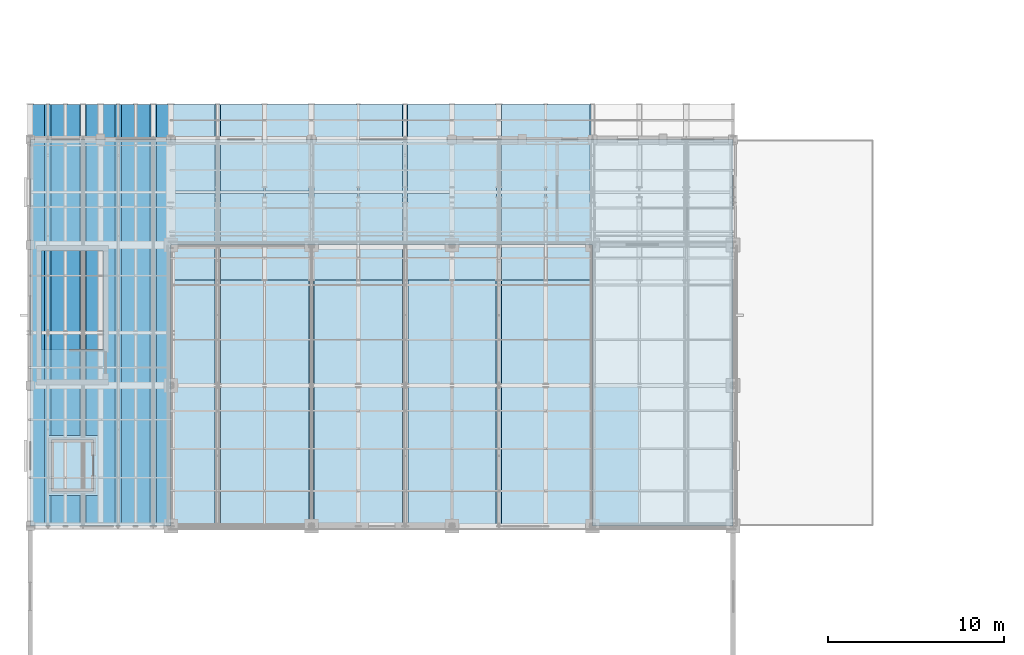
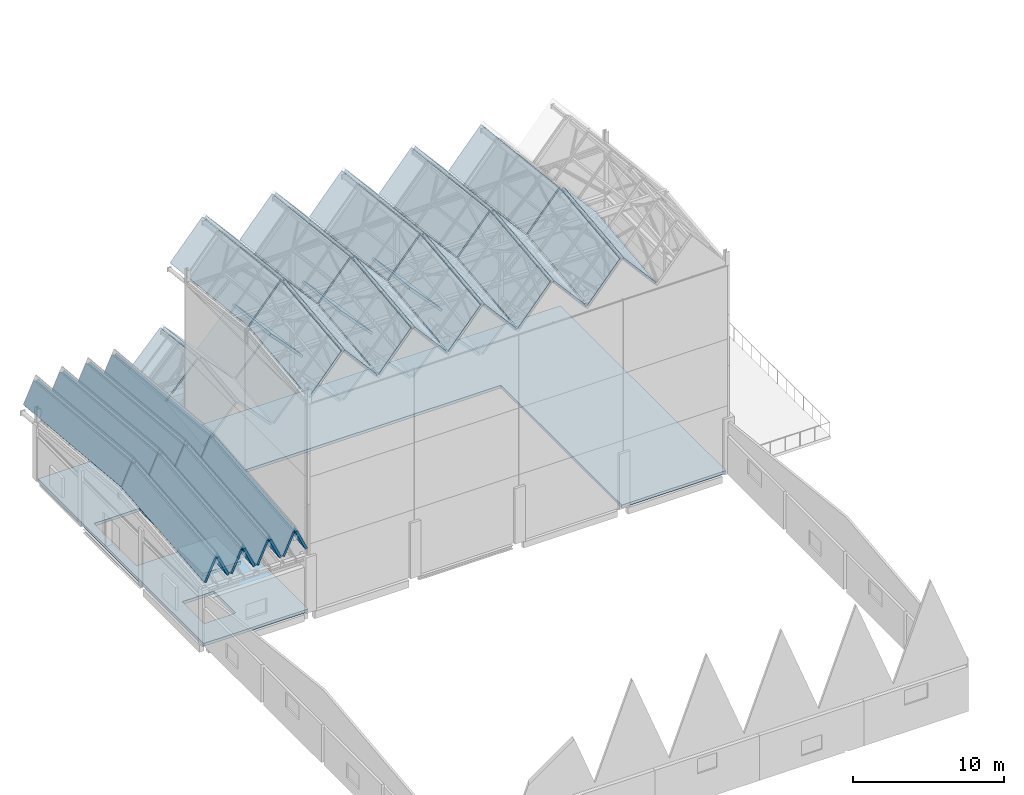
# One storey, part 23 of 48: 55 slabs.
"""IFC4 building model written with IfcOpenShell, lengths in metres."""

from ifc_helpers import new_model, si_unit, direction, frame, origin, place, context, subcontext, project, spatial, polyline, outline, extrude, material, layer, layer_set, type_object, element, save


model = new_model("IFC4")

# Units and contexts
model_context = context("Model", 3, precision=1e-05, world=origin(), true_north=direction((0.0, 1.0)))
body_context = subcontext(model_context, "Body", "Model", "MODEL_VIEW")
ifc_project = project(units=[si_unit("LENGTHUNIT", "METRE"), si_unit("AREAUNIT", "SQUARE_METRE"), si_unit("VOLUMEUNIT", "CUBIC_METRE"), si_unit("PLANEANGLEUNIT", "RADIAN"), si_unit("MASSUNIT", "GRAM", prefix="KILO")], contexts=[model_context])

# Site, building, storey
site_placement = place(None, origin())
site = spatial("IfcSite", under=ifc_project, at=site_placement, CompositionType="ELEMENT")
building_placement = place(site_placement, origin())
building = spatial("IfcBuilding", under=site, at=building_placement, Name="Luwemba Playhouse", CompositionType="ELEMENT")
storey_placement = place(building_placement, frame((0.0, 0.0, 13.800048828125)))
storey = spatial("IfcBuildingStorey", under=building, at=storey_placement, Name="L03", CompositionType="ELEMENT", Elevation=13.800048828125)

# Slabs
ifc_material_1 = material(Name="Concrete C32/40", Category="concrete")
ifc_layer_1 = layer(ifc_material_1, 0.179931640625)
ifc_layer_set_1 = layer_set([ifc_layer_1], Name="Concrete C32/40")
slab_type_1 = type_object("IfcSlabType", Name="SLB-ROOF-180", PredefinedType="ROOF", material=ifc_layer_set_1)
slab_1_placement = place(storey_placement, frame((12.0400390625, 68.0, 17.1064453125), z_axis=(-0.756374795015, -0.072917564661, 0.650061688018), x_axis=(0.651796789856, 0.0, 0.758393660795)))
element("IfcSlab", 1, at=slab_1_placement, inside=storey, type_object=slab_type_1, Name="RF-V2-FLY pleated roof facet 1S", PredefinedType="ROOF", context=body_context, shape_type="SweptSolid", body=[
    extrude(outline(polyline([(0.0, 0.0), (3.797345575755142, 2.7755575615628914e-17), (4.472789929900539, 7.961134174837234), (0.6754443541453969, 7.961134174837234), (0.0, 0.0)])), origin(), (0.0, 0.0, -1.0), 0.179931640625),
])
slab_2_placement = place(storey_placement, frame((12.0400390625, 76.06005859375, 17.9970703125), z_axis=(-0.756375331092, 0.072907895886, 0.650062148746), x_axis=(0.651796789856, 0.0, 0.758393660795)))
element("IfcSlab", 2, at=slab_2_placement, inside=storey, type_object=slab_type_1, Name="RF-V2-FLY pleated roof facet 1N", PredefinedType="ROOF", context=body_context, shape_type="SweptSolid", body=[
    extrude(outline(polyline([(0.0, 0.0), (3.7973455757551426, -2.7755575615628914e-17), (2.917860739628323, 10.367434831971783), (-0.8794848361268189, 10.367434831971783), (0.0, 0.0)])), origin(), (0.0, 0.0, -1.0), 0.179931640625),
])
slab_3_placement = place(storey_placement, frame((14.818115234375, 68.0, 19.986328125), z_axis=(0.756374795015, -0.072917564661, 0.650061688018), x_axis=(0.651796789856, 0.0, -0.758393660795)))
element("IfcSlab", 3, at=slab_3_placement, inside=storey, type_object=slab_type_1, Name="RF-V2-FLY pleated roof facet 2S", PredefinedType="ROOF", context=body_context, shape_type="SweptSolid", body=[
    extrude(outline(polyline([(0.0, 0.0), (3.797345575755142, -2.7755575615628914e-17), (3.1219012216097455, 7.961134174837233), (-0.6754443541453969, 7.961134174837234), (0.0, 0.0)])), origin(), (0.0, 0.0, -1.0), 0.179931640625),
])
slab_4_placement = place(storey_placement, frame((14.818115234375, 76.06005859375, 20.876953125), z_axis=(0.756361188698, 0.072917297819, 0.650077549151), x_axis=(0.651812596084, 1.523792e-06, -0.758380075941)))
element("IfcSlab", 4, at=slab_4_placement, inside=storey, type_object=slab_type_1, Name="RF-V2-FLY pleated roof facet 2N", PredefinedType="ROOF", context=body_context, shape_type="SweptSolid", body=[
    extrude(outline(polyline([(0.0, 0.0), (3.797345574925978, -2.7755575615628914e-17), (4.676830412903163, 10.367434831511108), (0.8796699893629129, 10.36744643484623), (0.0, 0.0)])), origin(), (0.0, 0.0, -1.0), 0.179931640625),
])
slab_5_placement = place(storey_placement, frame((17.373291015625, 68.0, 17.1064453125), z_axis=(-0.756374795015, -0.072917564661, 0.650061688018), x_axis=(0.651796789856, 0.0, 0.758393660795)))
element("IfcSlab", 5, at=slab_5_placement, inside=storey, type_object=slab_type_1, Name="RF-V2-FLY pleated roof facet 3S", PredefinedType="ROOF", context=body_context, shape_type="SweptSolid", body=[
    extrude(outline(polyline([(0.0, 0.0), (3.797345575755142, 2.7755575615628914e-17), (4.472789929900539, 7.961134174837234), (0.6754443541453969, 7.961134174837234), (0.0, 0.0)])), origin(), (0.0, 0.0, -1.0), 0.179931640625),
])
slab_6_placement = place(storey_placement, frame((17.373291015625, 76.06005859375, 17.9970703125), z_axis=(-0.756388626011, 0.072913761435, 0.65004602132), x_axis=(0.651780984105, 1.523644e-06, 0.758407244662)))
element("IfcSlab", 6, at=slab_6_placement, inside=storey, type_object=slab_type_1, Name="RF-V2-FLY pleated roof facet 3N", PredefinedType="ROOF", context=body_context, shape_type="SweptSolid", body=[
    extrude(outline(polyline([(0.0, 0.0), (3.797345574926059, 0.0), (2.917860740265387, 10.367434831792485), (-0.8796699926793886, 10.36744643456486), (0.0, 0.0)])), origin(), (0.0, 0.0, -1.0), 0.179931640625),
])
slab_7_placement = place(storey_placement, frame((20.151611328125, 68.0, 19.986328125), z_axis=(0.756374795015, -0.072917564661, 0.650061688018), x_axis=(0.651796789856, 0.0, -0.758393660795)))
element("IfcSlab", 7, at=slab_7_placement, inside=storey, type_object=slab_type_1, Name="RF-V2-FLY pleated roof facet 4S", PredefinedType="ROOF", context=body_context, shape_type="SweptSolid", body=[
    extrude(outline(polyline([(0.0, 0.0), (3.797345575755142, -2.7755575615628914e-17), (3.1219012216097455, 7.961134174837233), (-0.6754443541453969, 7.961134174837234), (0.0, 0.0)])), origin(), (0.0, 0.0, -1.0), 0.179931640625),
])
slab_8_placement = place(storey_placement, frame((20.151611328125, 76.06005859375, 20.876953125), z_axis=(0.756388626011, 0.072913761435, 0.65004602132), x_axis=(0.651780984105, -1.523644e-06, -0.758407244662)))
element("IfcSlab", 8, at=slab_8_placement, inside=storey, type_object=slab_type_1, Name="RF-V2-FLY pleated roof facet 4N", PredefinedType="ROOF", context=body_context, shape_type="SweptSolid", body=[
    extrude(outline(polyline([(0.0, 0.0), (3.797345574926059, 0.0), (4.677015567605448, 10.36744643456486), (0.8794848346606722, 10.367434831792485), (0.0, 0.0)])), origin(), (0.0, 0.0, -1.0), 0.179931640625),
])
slab_9_placement = place(storey_placement, frame((22.706787109375, 68.0, 17.1064453125), z_axis=(-0.756374795015, -0.072917564661, 0.650061688018), x_axis=(0.651796789856, 0.0, 0.758393660795)))
element("IfcSlab", 9, at=slab_9_placement, inside=storey, type_object=slab_type_1, Name="RF-V2-FLY pleated roof facet 5S", PredefinedType="ROOF", context=body_context, shape_type="SweptSolid", body=[
    extrude(outline(polyline([(0.0, 0.0), (3.797345575755142, 2.7755575615628914e-17), (4.472789929900539, 7.961134174837234), (0.6754443541453969, 7.961134174837234), (0.0, 0.0)])), origin(), (0.0, 0.0, -1.0), 0.179931640625),
])
slab_10_placement = place(storey_placement, frame((22.706787109375, 76.06005859375, 17.9970703125), z_axis=(-0.756361188698, 0.072917297819, 0.650077549151), x_axis=(0.651812596084, -1.523792e-06, 0.758380075941)))
element("IfcSlab", 10, at=slab_10_placement, inside=storey, type_object=slab_type_1, Name="RF-V2-FLY pleated roof facet 5N", PredefinedType="ROOF", context=body_context, shape_type="SweptSolid", body=[
    extrude(outline(polyline([(0.0, 0.0), (3.797345574925978, 2.7755575615628914e-17), (2.9176755855630656, 10.36744643484623), (-0.8794848379771851, 10.36743483151111), (0.0, 0.0)])), origin(), (0.0, 0.0, -1.0), 0.179931640625),
])
slab_11_placement = place(storey_placement, frame((25.48486328125, 68.0, 19.986328125), z_axis=(0.756374795015, -0.072917564661, 0.650061688018), x_axis=(0.651796789856, 0.0, -0.758393660795)))
element("IfcSlab", 11, at=slab_11_placement, inside=storey, type_object=slab_type_1, Name="RF-V2-FLY pleated roof facet 6S", PredefinedType="ROOF", context=body_context, shape_type="SweptSolid", body=[
    extrude(outline(polyline([(0.0, 0.0), (3.797345575755142, -2.7755575615628914e-17), (3.1219012216097455, 7.961134174837233), (-0.6754443541453969, 7.961134174837234), (0.0, 0.0)])), origin(), (0.0, 0.0, -1.0), 0.179931640625),
])
slab_12_placement = place(storey_placement, frame((25.48486328125, 76.06005859375, 20.876953125), z_axis=(0.756375331092, 0.072907895886, 0.650062148746), x_axis=(0.651796789856, 0.0, -0.758393660795)))
element("IfcSlab", 12, at=slab_12_placement, inside=storey, type_object=slab_type_1, Name="RF-V2-FLY pleated roof facet 6N", PredefinedType="ROOF", context=body_context, shape_type="SweptSolid", body=[
    extrude(outline(polyline([(0.0, 0.0), (3.7973455757551426, 2.7755575615628914e-17), (4.676830411881962, 10.367434831971782), (0.8794848361268189, 10.367434831971783), (0.0, 0.0)])), origin(), (0.0, 0.0, -1.0), 0.179931640625),
])
slab_13_placement = place(storey_placement, frame((28.0400390625, 68.0, 17.1064453125), z_axis=(-0.756374795015, -0.072917564661, 0.650061688018), x_axis=(0.651796789856, 0.0, 0.758393660795)))
element("IfcSlab", 13, at=slab_13_placement, inside=storey, type_object=slab_type_1, Name="RF-V2-FLY pleated roof facet 7S", PredefinedType="ROOF", context=body_context, shape_type="SweptSolid", body=[
    extrude(outline(polyline([(0.0, 0.0), (3.797345575755142, 2.7755575615628914e-17), (4.472789929900539, 7.961134174837234), (0.6754443541453969, 7.961134174837234), (0.0, 0.0)])), origin(), (0.0, 0.0, -1.0), 0.179931640625),
])
slab_14_placement = place(storey_placement, frame((28.0400390625, 76.06005859375, 17.9970703125), z_axis=(-0.756375331092, 0.072907895886, 0.650062148746), x_axis=(0.651796789856, 0.0, 0.758393660795)))
element("IfcSlab", 14, at=slab_14_placement, inside=storey, type_object=slab_type_1, Name="RF-V2-FLY pleated roof facet 7N", PredefinedType="ROOF", context=body_context, shape_type="SweptSolid", body=[
    extrude(outline(polyline([(0.0, 0.0), (3.7973455757551426, -2.7755575615628914e-17), (2.917860739628323, 10.367434831971783), (-0.8794848361268189, 10.367434831971783), (0.0, 0.0)])), origin(), (0.0, 0.0, -1.0), 0.179931640625),
])
slab_15_placement = place(storey_placement, frame((30.818115234375, 68.0, 19.986328125), z_axis=(0.756374795015, -0.072917564661, 0.650061688018), x_axis=(0.651796789856, 0.0, -0.758393660795)))
element("IfcSlab", 15, at=slab_15_placement, inside=storey, type_object=slab_type_1, Name="RF-V2-FLY pleated roof facet 8S", PredefinedType="ROOF", context=body_context, shape_type="SweptSolid", body=[
    extrude(outline(polyline([(0.0, 0.0), (3.797345575755142, -2.7755575615628914e-17), (3.1219012216097455, 7.961134174837233), (-0.6754443541453969, 7.961134174837234), (0.0, 0.0)])), origin(), (0.0, 0.0, -1.0), 0.179931640625),
])
slab_16_placement = place(storey_placement, frame((30.818115234375, 76.06005859375, 20.876953125), z_axis=(0.756361188698, 0.072917297819, 0.650077549151), x_axis=(0.651812596084, 1.523792e-06, -0.758380075941)))
element("IfcSlab", 16, at=slab_16_placement, inside=storey, type_object=slab_type_1, Name="RF-V2-FLY pleated roof facet 8N", PredefinedType="ROOF", context=body_context, shape_type="SweptSolid", body=[
    extrude(outline(polyline([(0.0, 0.0), (3.797345574925978, -2.7755575615628914e-17), (4.676830412903163, 10.367434831511108), (0.8796699893629129, 10.36744643484623), (0.0, 0.0)])), origin(), (0.0, 0.0, -1.0), 0.179931640625),
])
slab_17_placement = place(storey_placement, frame((33.373291015625, 68.0, 17.1064453125), z_axis=(-0.756374795015, -0.072917564661, 0.650061688018), x_axis=(0.651796789856, 0.0, 0.758393660795)))
element("IfcSlab", 17, at=slab_17_placement, inside=storey, type_object=slab_type_1, Name="RF-V2-FLY pleated roof facet 9S", PredefinedType="ROOF", context=body_context, shape_type="SweptSolid", body=[
    extrude(outline(polyline([(0.0, 0.0), (3.797345575755142, 2.7755575615628914e-17), (4.472789929900539, 7.961134174837234), (0.6754443541453969, 7.961134174837234), (0.0, 0.0)])), origin(), (0.0, 0.0, -1.0), 0.179931640625),
])
slab_18_placement = place(storey_placement, frame((33.373291015625, 76.06005859375, 17.9970703125), z_axis=(-0.756388626011, 0.072913761435, 0.65004602132), x_axis=(0.651780984105, 1.523644e-06, 0.758407244662)))
element("IfcSlab", 18, at=slab_18_placement, inside=storey, type_object=slab_type_1, Name="RF-V2-FLY pleated roof facet 9N", PredefinedType="ROOF", context=body_context, shape_type="SweptSolid", body=[
    extrude(outline(polyline([(0.0, 0.0), (3.797345574926059, 0.0), (2.917860740265387, 10.367434831792485), (-0.8796699926793886, 10.36744643456486), (0.0, 0.0)])), origin(), (0.0, 0.0, -1.0), 0.179931640625),
])
slab_19_placement = place(storey_placement, frame((36.151611328125, 68.0, 19.986328125), z_axis=(0.756374795015, -0.072917564661, 0.650061688018), x_axis=(0.651796789856, 0.0, -0.758393660795)))
element("IfcSlab", 19, at=slab_19_placement, inside=storey, type_object=slab_type_1, Name="RF-V2-FLY pleated roof facet 10S", PredefinedType="ROOF", context=body_context, shape_type="SweptSolid", body=[
    extrude(outline(polyline([(0.0, 0.0), (3.797345575755142, -2.7755575615628914e-17), (3.1219012216097455, 7.961134174837233), (-0.6754443541453969, 7.961134174837234), (0.0, 0.0)])), origin(), (0.0, 0.0, -1.0), 0.179931640625),
])
slab_20_placement = place(storey_placement, frame((4.0400390625, 68.0, 4.947021484375), z_axis=(-0.907986587238, -0.038837992433, 0.417195359202), x_axis=(0.417510399523, -1.057083e-06, 0.908672144554)))
element("IfcSlab", 20, at=slab_20_placement, inside=storey, type_object=slab_type_1, Name="RF-V2-LOW pleated roof facet 1S", PredefinedType="ROOF", context=body_context, shape_type="SweptSolid", body=[
    extrude(outline(polyline([(0.0, 0.0), (1.8711001203979962, -3.469446951953614e-18), (2.79662082820364, 10.948204557846042), (0.9252988640203522, 10.948200598806599), (0.0, 0.0)])), origin(), (0.0, 0.0, -1.0), 0.179931640625),
])
slab_21_placement = place(storey_placement, frame((4.0400390625, 79.06005859375, 5.96533203125), z_axis=(-0.907998063281, 0.03883476372, 0.41717068234), x_axis=(0.417485614267, 0.0, 0.908683532304)))
element("IfcSlab", 21, at=slab_21_placement, inside=storey, type_object=slab_type_1, Name="RF-V2-LOW pleated roof facet 1N", PredefinedType="ROOF", context=body_context, shape_type="SweptSolid", body=[
    extrude(outline(polyline([(0.0, 0.0), (1.8713219648804555, -3.469446951953614e-18), (0.7767310106845904, 12.949710071342965), (-1.0945909541958652, 12.949710071342967), (0.0, 0.0)])), origin(), (0.0, 0.0, -1.0), 0.179931640625),
])
slab_22_placement = place(storey_placement, frame((5.1787109375, 68.0, 6.647216796875), z_axis=(0.907986587238, -0.038837992433, 0.417195359202), x_axis=(0.417510399523, 1.057083e-06, -0.908672144554)))
element("IfcSlab", 22, at=slab_22_placement, inside=storey, type_object=slab_type_1, Name="RF-V2-LOW pleated roof facet 2S", PredefinedType="ROOF", context=body_context, shape_type="SweptSolid", body=[
    extrude(outline(polyline([(0.0, 0.0), (1.8711001203979962, 3.469446951953614e-18), (0.9458012563776441, 10.948200598806599), (-0.9255207078056438, 10.948204557846042), (0.0, 0.0)])), origin(), (0.0, 0.0, -1.0), 0.179931640625),
])
slab_23_placement = place(storey_placement, frame((5.1787109375, 79.06005859375, 7.665771484375), z_axis=(0.907998063281, 0.03883476372, 0.41717068234), x_axis=(0.417485614267, 0.0, -0.908683532304)))
element("IfcSlab", 23, at=slab_23_placement, inside=storey, type_object=slab_type_1, Name="RF-V2-LOW pleated roof facet 2N", PredefinedType="ROOF", context=body_context, shape_type="SweptSolid", body=[
    extrude(outline(polyline([(0.0, 0.0), (1.8713219648804555, 3.469446951953614e-18), (2.9659129190763207, 12.949710071342967), (1.0945909541958652, 12.949710071342967), (0.0, 0.0)])), origin(), (0.0, 0.0, -1.0), 0.179931640625),
])
slab_24_placement = place(storey_placement, frame((6.0400390625, 68.0, 4.947021484375), z_axis=(-0.907986587238, -0.038837992433, 0.417195359202), x_axis=(0.417510399523, -1.057083e-06, 0.908672144554)))
element("IfcSlab", 24, at=slab_24_placement, inside=storey, type_object=slab_type_1, Name="RF-V2-LOW pleated roof facet 3S", PredefinedType="ROOF", context=body_context, shape_type="SweptSolid", body=[
    extrude(outline(polyline([(0.0, 0.0), (1.8711001203979962, -3.469446951953614e-18), (2.79662082820364, 10.948204557846042), (0.9252988640203522, 10.948200598806599), (0.0, 0.0)])), origin(), (0.0, 0.0, -1.0), 0.179931640625),
])
slab_25_placement = place(storey_placement, frame((6.0400390625, 79.06005859375, 5.96533203125), z_axis=(-0.907998063281, 0.03883476372, 0.41717068234), x_axis=(0.417485614267, 0.0, 0.908683532304)))
element("IfcSlab", 25, at=slab_25_placement, inside=storey, type_object=slab_type_1, Name="RF-V2-LOW pleated roof facet 3N", PredefinedType="ROOF", context=body_context, shape_type="SweptSolid", body=[
    extrude(outline(polyline([(0.0, 0.0), (1.8713219648804555, -3.469446951953614e-18), (0.7767310106845904, 12.949710071342965), (-1.0945909541958652, 12.949710071342967), (0.0, 0.0)])), origin(), (0.0, 0.0, -1.0), 0.179931640625),
])
slab_26_placement = place(storey_placement, frame((7.1787109375, 68.0, 6.647216796875), z_axis=(0.907986587238, -0.038837992433, 0.417195359202), x_axis=(0.417510399523, 1.057083e-06, -0.908672144554)))
element("IfcSlab", 26, at=slab_26_placement, inside=storey, type_object=slab_type_1, Name="RF-V2-LOW pleated roof facet 4S", PredefinedType="ROOF", context=body_context, shape_type="SweptSolid", body=[
    extrude(outline(polyline([(0.0, 0.0), (1.8711001203979962, 3.469446951953614e-18), (0.9458012563776441, 10.948200598806599), (-0.9255207078056438, 10.948204557846042), (0.0, 0.0)])), origin(), (0.0, 0.0, -1.0), 0.179931640625),
])
slab_27_placement = place(storey_placement, frame((7.1787109375, 79.06005859375, 7.665771484375), z_axis=(0.907998063281, 0.03883476372, 0.41717068234), x_axis=(0.417485614267, 0.0, -0.908683532304)))
element("IfcSlab", 27, at=slab_27_placement, inside=storey, type_object=slab_type_1, Name="RF-V2-LOW pleated roof facet 4N", PredefinedType="ROOF", context=body_context, shape_type="SweptSolid", body=[
    extrude(outline(polyline([(0.0, 0.0), (1.8713219648804555, 3.469446951953614e-18), (2.9659129190763207, 12.949710071342967), (1.0945909541958652, 12.949710071342967), (0.0, 0.0)])), origin(), (0.0, 0.0, -1.0), 0.179931640625),
])
slab_28_placement = place(storey_placement, frame((8.0400390625, 68.0, 4.947021484375), z_axis=(-0.907986587238, -0.038837992433, 0.417195359202), x_axis=(0.417510399523, -1.057083e-06, 0.908672144554)))
element("IfcSlab", 28, at=slab_28_placement, inside=storey, type_object=slab_type_1, Name="RF-V2-LOW pleated roof facet 5S", PredefinedType="ROOF", context=body_context, shape_type="SweptSolid", body=[
    extrude(outline(polyline([(0.0, 0.0), (1.8711001203979962, -3.469446951953614e-18), (2.79662082820364, 10.948204557846042), (0.9252988640203522, 10.948200598806599), (0.0, 0.0)])), origin(), (0.0, 0.0, -1.0), 0.179931640625),
])
slab_29_placement = place(storey_placement, frame((8.0400390625, 79.06005859375, 5.96533203125), z_axis=(-0.907998063281, 0.03883476372, 0.41717068234), x_axis=(0.417485614267, 0.0, 0.908683532304)))
element("IfcSlab", 29, at=slab_29_placement, inside=storey, type_object=slab_type_1, Name="RF-V2-LOW pleated roof facet 5N", PredefinedType="ROOF", context=body_context, shape_type="SweptSolid", body=[
    extrude(outline(polyline([(0.0, 0.0), (1.8713219648804555, -3.469446951953614e-18), (0.7767310106845904, 12.949710071342965), (-1.0945909541958652, 12.949710071342967), (0.0, 0.0)])), origin(), (0.0, 0.0, -1.0), 0.179931640625),
])
slab_30_placement = place(storey_placement, frame((9.1787109375, 68.0, 6.647216796875), z_axis=(0.907986587238, -0.038837992433, 0.417195359202), x_axis=(0.417510399523, 1.057083e-06, -0.908672144554)))
element("IfcSlab", 30, at=slab_30_placement, inside=storey, type_object=slab_type_1, Name="RF-V2-LOW pleated roof facet 6S", PredefinedType="ROOF", context=body_context, shape_type="SweptSolid", body=[
    extrude(outline(polyline([(0.0, 0.0), (1.8711001203979962, 3.469446951953614e-18), (0.9458012563776441, 10.948200598806599), (-0.9255207078056438, 10.948204557846042), (0.0, 0.0)])), origin(), (0.0, 0.0, -1.0), 0.179931640625),
])
slab_31_placement = place(storey_placement, frame((9.1787109375, 79.06005859375, 7.665771484375), z_axis=(0.907998063281, 0.03883476372, 0.41717068234), x_axis=(0.417485614267, 0.0, -0.908683532304)))
element("IfcSlab", 31, at=slab_31_placement, inside=storey, type_object=slab_type_1, Name="RF-V2-LOW pleated roof facet 6N", PredefinedType="ROOF", context=body_context, shape_type="SweptSolid", body=[
    extrude(outline(polyline([(0.0, 0.0), (1.8713219648804555, 3.469446951953614e-18), (2.9659129190763207, 12.949710071342967), (1.0945909541958652, 12.949710071342967), (0.0, 0.0)])), origin(), (0.0, 0.0, -1.0), 0.179931640625),
])
slab_32_placement = place(storey_placement, frame((10.0400390625, 68.0, 4.947021484375), z_axis=(-0.907986587238, -0.038837992433, 0.417195359202), x_axis=(0.417510399523, -1.057083e-06, 0.908672144554)))
element("IfcSlab", 32, at=slab_32_placement, inside=storey, type_object=slab_type_1, Name="RF-V2-LOW pleated roof facet 7S", PredefinedType="ROOF", context=body_context, shape_type="SweptSolid", body=[
    extrude(outline(polyline([(0.0, 0.0), (1.8711001203979962, -3.469446951953614e-18), (2.79662082820364, 10.948204557846042), (0.9252988640203522, 10.948200598806599), (0.0, 0.0)])), origin(), (0.0, 0.0, -1.0), 0.179931640625),
])
slab_33_placement = place(storey_placement, frame((10.0400390625, 79.06005859375, 5.96533203125), z_axis=(-0.907998063281, 0.03883476372, 0.41717068234), x_axis=(0.417485614267, 0.0, 0.908683532304)))
element("IfcSlab", 33, at=slab_33_placement, inside=storey, type_object=slab_type_1, Name="RF-V2-LOW pleated roof facet 7N", PredefinedType="ROOF", context=body_context, shape_type="SweptSolid", body=[
    extrude(outline(polyline([(0.0, 0.0), (1.8713219648804555, -3.469446951953614e-18), (0.7767310106845904, 12.949710071342965), (-1.0945909541958652, 12.949710071342967), (0.0, 0.0)])), origin(), (0.0, 0.0, -1.0), 0.179931640625),
])
slab_34_placement = place(storey_placement, frame((11.1787109375, 68.0, 6.647216796875), z_axis=(0.907986587238, -0.038837992433, 0.417195359202), x_axis=(0.417510399523, 1.057083e-06, -0.908672144554)))
element("IfcSlab", 34, at=slab_34_placement, inside=storey, type_object=slab_type_1, Name="RF-V2-LOW pleated roof facet 8S", PredefinedType="ROOF", context=body_context, shape_type="SweptSolid", body=[
    extrude(outline(polyline([(0.0, 0.0), (1.8711001203979962, 3.469446951953614e-18), (0.9458012563776441, 10.948200598806599), (-0.9255207078056438, 10.948204557846042), (0.0, 0.0)])), origin(), (0.0, 0.0, -1.0), 0.179931640625),
])
slab_35_placement = place(storey_placement, frame((11.1787109375, 79.06005859375, 7.665771484375), z_axis=(0.907998063281, 0.03883476372, 0.41717068234), x_axis=(0.417485614267, 0.0, -0.908683532304)))
element("IfcSlab", 35, at=slab_35_placement, inside=storey, type_object=slab_type_1, Name="RF-V2-LOW pleated roof facet 8N", PredefinedType="ROOF", context=body_context, shape_type="SweptSolid", body=[
    extrude(outline(polyline([(0.0, 0.0), (1.8713219648804555, 3.469446951953614e-18), (2.9659129190763207, 12.949710071342967), (1.0945909541958652, 12.949710071342967), (0.0, 0.0)])), origin(), (0.0, 0.0, -1.0), 0.179931640625),
])
slab_36_placement = place(storey_placement, frame((12.0400390625, 82.0, 4.678466796875), z_axis=(-0.72968823833, -0.07623326784, 0.679517154837), x_axis=(0.68150031365, 0.0, 0.731817820564)))
element("IfcSlab", 36, at=slab_36_placement, inside=storey, type_object=slab_type_1, Name="RF-V2-NORTH pleated roof facet 1S", PredefinedType="ROOF", context=body_context, shape_type="SweptSolid", body=[
    extrude(outline(polyline([(0.0, 0.0), (3.6390012140547197, -2.7755575615628914e-17), (4.0445740784787265, 4.954358537983423), (0.40557286442400686, 4.954358537983423), (0.0, 0.0)])), origin(), (0.0, 0.0, -1.0), 0.179931640625),
])
slab_37_placement = place(storey_placement, frame((12.0400390625, 87.06005859375, 5.232666015625), z_axis=(-0.72968823833, 0.07623326784, 0.679517154837), x_axis=(0.68150031365, 0.0, 0.731817820564)))
element("IfcSlab", 37, at=slab_37_placement, inside=storey, type_object=slab_type_1, Name="RF-V2-NORTH pleated roof facet 1N", PredefinedType="ROOF", context=body_context, shape_type="SweptSolid", body=[
    extrude(outline(polyline([(0.0, 0.0), (3.6390012140547197, 2.7755575615628914e-17), (3.233428349630713, 4.954358537983423), (-0.40557286442400686, 4.954358537983423), (0.0, 0.0)])), origin(), (0.0, 0.0, -1.0), 0.179931640625),
])
slab_38_placement = place(storey_placement, frame((14.8134765625, 82.0, 7.341552734375), z_axis=(0.729707121048, -0.076214438904, 0.679498989547), x_axis=(0.681481208744, 1.737381e-06, -0.731835611409)))
element("IfcSlab", 38, at=slab_38_placement, inside=storey, type_object=slab_type_1, Name="RF-V2-NORTH pleated roof facet 2S", PredefinedType="ROOF", context=body_context, shape_type="SweptSolid", body=[
    extrude(outline(polyline([(0.0, 0.0), (3.6386561647574216, 0.0), (3.2332606940258257, 4.9543457520841105), (-0.40557414153516264, 4.9543584327422465), (0.0, 0.0)])), origin(), (0.0, 0.0, -1.0), 0.179931640625),
])
slab_39_placement = place(storey_placement, frame((14.8134765625, 87.06005859375, 7.895751953125), z_axis=(0.729707121048, 0.076214438904, 0.679498989547), x_axis=(0.681481014373, 1.737296e-06, -0.731835792406)))
element("IfcSlab", 39, at=slab_39_placement, inside=storey, type_object=slab_type_1, Name="RF-V2-NORTH pleated roof facet 2N", PredefinedType="ROOF", context=body_context, shape_type="SweptSolid", body=[
    extrude(outline(polyline([(0.0, 0.0), (3.638834835583083, 2.7755575615628914e-17), (4.044247571279607, 4.954344339326711), (0.4055914065442792, 4.954357019362213), (0.0, 0.0)])), origin(), (0.0, 0.0, -1.0), 0.179931640625),
])
slab_40_placement = place(storey_placement, frame((17.373291015625, 82.0, 4.678466796875), z_axis=(-0.72968823833, -0.07623326784, 0.679517154837), x_axis=(0.68150031365, 0.0, 0.731817820564)))
element("IfcSlab", 40, at=slab_40_placement, inside=storey, type_object=slab_type_1, Name="RF-V2-NORTH pleated roof facet 3S", PredefinedType="ROOF", context=body_context, shape_type="SweptSolid", body=[
    extrude(outline(polyline([(0.0, 0.0), (3.6390012140547197, -2.7755575615628914e-17), (4.0445740784787265, 4.954358537983423), (0.40557286442400686, 4.954358537983423), (0.0, 0.0)])), origin(), (0.0, 0.0, -1.0), 0.179931640625),
])
for number, where, z_axis, x_axis, name in (
    (41, (17.373291015625, 87.06005859375, 5.232666015625), (-0.72968823833, 0.07623326784, 0.679517154837), (0.68150031365, 0.0, 0.731817820564), "RF-V2-NORTH pleated roof facet 3N"),
    (42, (20.146728515625, 82.0, 7.341552734375), (0.72968823833, -0.07623326784, 0.679517154837), (0.68150031365, 0.0, -0.731817820564), "RF-V2-NORTH pleated roof facet 4S"),
):
    element("IfcSlab", number, at=place(storey_placement, frame(where, z_axis=z_axis, x_axis=x_axis)), inside=storey, type_object=slab_type_1, Name=name, PredefinedType="ROOF", context=body_context, shape_type="SweptSolid", body=[
        extrude(outline(polyline([(0.0, 0.0), (3.6390012140547197, 2.7755575615628914e-17), (3.233428349630713, 4.954358537983423), (-0.40557286442400686, 4.954358537983423), (0.0, 0.0)])), origin(), (0.0, 0.0, -1.0), 0.179931640625),
    ])
slab_41_placement = place(storey_placement, frame((20.146728515625, 87.06005859375, 7.895751953125), z_axis=(0.72968823833, 0.07623326784, 0.679517154837), x_axis=(0.68150031365, 0.0, -0.731817820564)))
element("IfcSlab", 43, at=slab_41_placement, inside=storey, type_object=slab_type_1, Name="RF-V2-NORTH pleated roof facet 4N", PredefinedType="ROOF", context=body_context, shape_type="SweptSolid", body=[
    extrude(outline(polyline([(0.0, 0.0), (3.6390012140547197, -2.7755575615628914e-17), (4.0445740784787265, 4.954358537983423), (0.40557286442400686, 4.954358537983423), (0.0, 0.0)])), origin(), (0.0, 0.0, -1.0), 0.179931640625),
])
slab_42_placement = place(storey_placement, frame((22.706787109375, 82.0, 4.6787109375), z_axis=(-0.729707121048, -0.076214438904, 0.679498989547), x_axis=(0.681481208744, -1.737381e-06, 0.731835611409)))
element("IfcSlab", 44, at=slab_42_placement, inside=storey, type_object=slab_type_1, Name="RF-V2-NORTH pleated roof facet 5S", PredefinedType="ROOF", context=body_context, shape_type="SweptSolid", body=[
    extrude(outline(polyline([(0.0, 0.0), (3.6386561647574216, 0.0), (4.044230306292584, 4.9543584327422465), (0.405395470731596, 4.9543457520841105), (0.0, 0.0)])), origin(), (0.0, 0.0, -1.0), 0.179931640625),
])
slab_43_placement = place(storey_placement, frame((22.706787109375, 87.06005859375, 5.232666015625), z_axis=(-0.729707121048, 0.076214438904, 0.679498989547), x_axis=(0.681481014373, -1.737296e-06, 0.731835792406)))
element("IfcSlab", 45, at=slab_43_placement, inside=storey, type_object=slab_type_1, Name="RF-V2-NORTH pleated roof facet 5N", PredefinedType="ROOF", context=body_context, shape_type="SweptSolid", body=[
    extrude(outline(polyline([(0.0, 0.0), (3.638834835583083, -2.7755575615628914e-17), (3.233243429038804, 4.954357019362213), (-0.4054127356965239, 4.954344339326711), (0.0, 0.0)])), origin(), (0.0, 0.0, -1.0), 0.179931640625),
])
slab_44_placement = place(storey_placement, frame((25.47998046875, 82.0, 7.341552734375), z_axis=(0.72968823833, -0.07623326784, 0.679517154837), x_axis=(0.68150031365, 0.0, -0.731817820564)))
element("IfcSlab", 46, at=slab_44_placement, inside=storey, type_object=slab_type_1, Name="RF-V2-NORTH pleated roof facet 6S", PredefinedType="ROOF", context=body_context, shape_type="SweptSolid", body=[
    extrude(outline(polyline([(0.0, 0.0), (3.6390012140547197, 2.7755575615628914e-17), (3.233428349630713, 4.954358537983423), (-0.40557286442400686, 4.954358537983423), (0.0, 0.0)])), origin(), (0.0, 0.0, -1.0), 0.179931640625),
])
for number, where, z_axis, x_axis, name in (
    (47, (25.47998046875, 87.06005859375, 7.895751953125), (0.72968823833, 0.07623326784, 0.679517154837), (0.68150031365, 0.0, -0.731817820564), "RF-V2-NORTH pleated roof facet 6N"),
    (48, (28.0400390625, 82.0, 4.678466796875), (-0.72968823833, -0.07623326784, 0.679517154837), (0.68150031365, 0.0, 0.731817820564), "RF-V2-NORTH pleated roof facet 7S"),
):
    element("IfcSlab", number, at=place(storey_placement, frame(where, z_axis=z_axis, x_axis=x_axis)), inside=storey, type_object=slab_type_1, Name=name, PredefinedType="ROOF", context=body_context, shape_type="SweptSolid", body=[
        extrude(outline(polyline([(0.0, 0.0), (3.6390012140547197, -2.7755575615628914e-17), (4.0445740784787265, 4.954358537983423), (0.40557286442400686, 4.954358537983423), (0.0, 0.0)])), origin(), (0.0, 0.0, -1.0), 0.179931640625),
    ])
slab_45_placement = place(storey_placement, frame((28.0400390625, 87.06005859375, 5.232666015625), z_axis=(-0.72968823833, 0.07623326784, 0.679517154837), x_axis=(0.68150031365, 0.0, 0.731817820564)))
element("IfcSlab", 49, at=slab_45_placement, inside=storey, type_object=slab_type_1, Name="RF-V2-NORTH pleated roof facet 7N", PredefinedType="ROOF", context=body_context, shape_type="SweptSolid", body=[
    extrude(outline(polyline([(0.0, 0.0), (3.6390012140547197, 2.7755575615628914e-17), (3.233428349630713, 4.954358537983423), (-0.40557286442400686, 4.954358537983423), (0.0, 0.0)])), origin(), (0.0, 0.0, -1.0), 0.179931640625),
])
slab_46_placement = place(storey_placement, frame((30.8134765625, 82.0, 7.341552734375), z_axis=(0.729707121048, -0.076214438904, 0.679498989547), x_axis=(0.681481208744, 1.737381e-06, -0.731835611409)))
element("IfcSlab", 50, at=slab_46_placement, inside=storey, type_object=slab_type_1, Name="RF-V2-NORTH pleated roof facet 8S", PredefinedType="ROOF", context=body_context, shape_type="SweptSolid", body=[
    extrude(outline(polyline([(0.0, 0.0), (3.6386561647574216, 0.0), (3.2332606940258257, 4.9543457520841105), (-0.40557414153516264, 4.9543584327422465), (0.0, 0.0)])), origin(), (0.0, 0.0, -1.0), 0.179931640625),
])
slab_47_placement = place(storey_placement, frame((30.8134765625, 87.06005859375, 7.895751953125), z_axis=(0.729707121048, 0.076214438904, 0.679498989547), x_axis=(0.681481014373, 1.737296e-06, -0.731835792406)))
element("IfcSlab", 51, at=slab_47_placement, inside=storey, type_object=slab_type_1, Name="RF-V2-NORTH pleated roof facet 8N", PredefinedType="ROOF", context=body_context, shape_type="SweptSolid", body=[
    extrude(outline(polyline([(0.0, 0.0), (3.638834835583083, 2.7755575615628914e-17), (4.044247571279607, 4.954344339326711), (0.4055914065442792, 4.954357019362213), (0.0, 0.0)])), origin(), (0.0, 0.0, -1.0), 0.179931640625),
])
slab_48_placement = place(storey_placement, frame((33.373291015625, 82.0, 4.678466796875), z_axis=(-0.72968823833, -0.07623326784, 0.679517154837), x_axis=(0.68150031365, 0.0, 0.731817820564)))
element("IfcSlab", 52, at=slab_48_placement, inside=storey, type_object=slab_type_1, Name="RF-V2-NORTH pleated roof facet 9S", PredefinedType="ROOF", context=body_context, shape_type="SweptSolid", body=[
    extrude(outline(polyline([(0.0, 0.0), (3.6390012140547197, -2.7755575615628914e-17), (4.0445740784787265, 4.954358537983423), (0.40557286442400686, 4.954358537983423), (0.0, 0.0)])), origin(), (0.0, 0.0, -1.0), 0.179931640625),
])
slab_49_placement = place(storey_placement, frame((33.373291015625, 87.06005859375, 5.232666015625), z_axis=(-0.72968823833, 0.07623326784, 0.679517154837), x_axis=(0.68150031365, 0.0, 0.731817820564)))
element("IfcSlab", 53, at=slab_49_placement, inside=storey, type_object=slab_type_1, Name="RF-V2-NORTH pleated roof facet 9N", PredefinedType="ROOF", context=body_context, shape_type="SweptSolid", body=[
    extrude(outline(polyline([(0.0, 0.0), (3.6390012140547197, 2.7755575615628914e-17), (3.233428349630713, 4.954358537983423), (-0.40557286442400686, 4.954358537983423), (0.0, 0.0)])), origin(), (0.0, 0.0, -1.0), 0.179931640625),
])
ifc_material_2 = material(Name="Concrete C40/50", Category="concrete")
ifc_layer_2 = layer(ifc_material_2, 0.22998046875)
ifc_layer_set_2 = layer_set([ifc_layer_2], Name="Concrete C40/50")
slab_type_2 = type_object("IfcSlabType", Name="SLB-UPP-230", PredefinedType="FLOOR", material=ifc_layer_set_2)
slab_50_placement = place(storey_placement, frame((0.0, 0.0, -0.22998046875)))
element("IfcSlab", 54, at=slab_50_placement, inside=storey, type_object=slab_type_2, Name="L03 V2 structural floor slab", PredefinedType="FLOOR", context=body_context, shape_type="SweptSolid", body=[
    extrude(outline(polyline([(4.0, 90.0), (44.0, 90.0), (44.0, 68.0), (36.0, 68.0), (36.0, 84.0), (12.0, 84.0), (12.0, 68.0), (4.0, 68.0), (4.0, 90.0)]), holes=[polyline([(7.60009765625, 70.0), (7.60009765625, 72.89990234375), (5.199951171875, 72.89990234375), (5.199951171875, 70.0), (7.60009765625, 70.0)]), polyline([(8.14990234375, 78.0400390625), (8.14990234375, 83.659912109375), (4.64990234375, 83.659912109375), (4.64990234375, 78.0400390625), (8.14990234375, 78.0400390625)])]), origin(), (0.0, 0.0, 1.0), 0.22998046875),
])
slab_51_placement = place(storey_placement, frame((0.0, 0.0, 4.02001953125)))
element("IfcSlab", 55, at=slab_51_placement, inside=storey, type_object=slab_type_2, Name="Lift LF-P2 overrun cap slab", PredefinedType="FLOOR", context=body_context, shape_type="SweptSolid", body=[
    extrude(outline(polyline([(4.949951171875, 69.75), (7.85009765625, 69.75), (7.85009765625, 73.14990234375), (4.949951171875, 73.14990234375), (4.949951171875, 69.75)])), origin(), (0.0, 0.0, 1.0), 0.22998046875),
])

save(model, "model.ifc")
